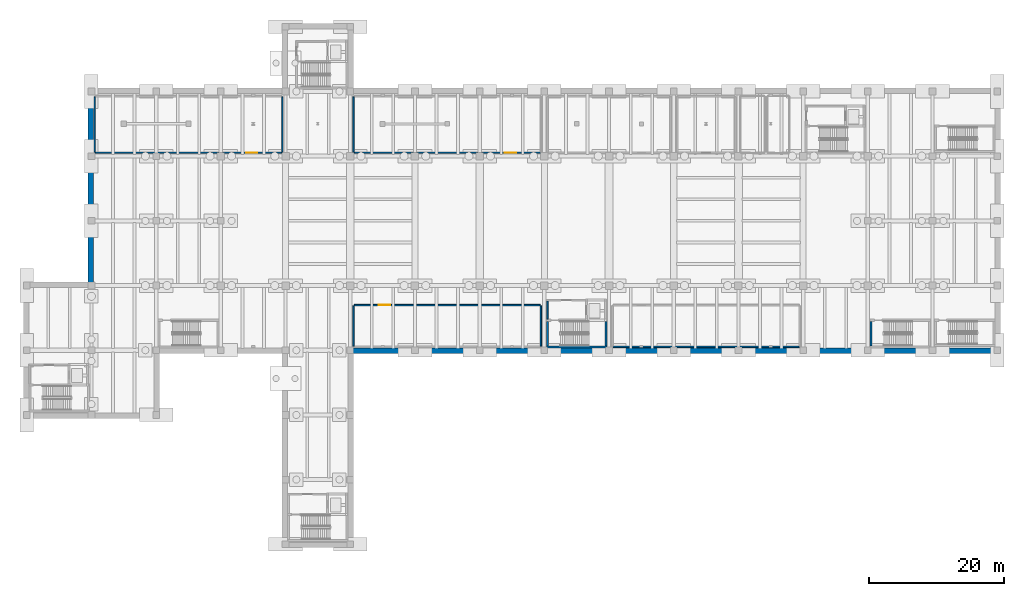
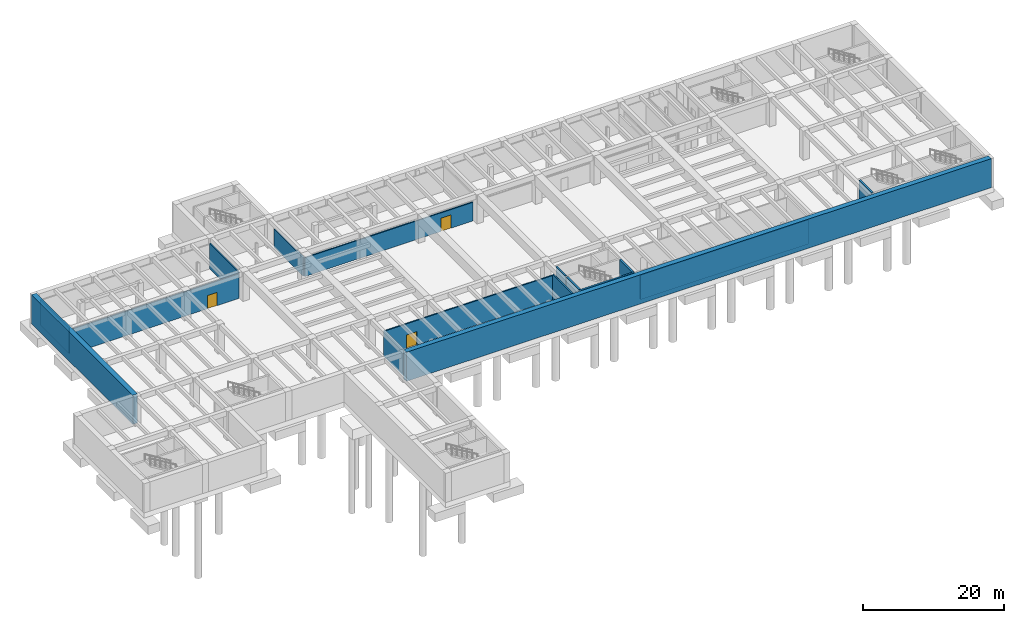
# One storey, part 10 of 24: 16 walls, 3 doors, 3 openings.
"""IFC4 building model written with IfcOpenShell, lengths in metres."""

import ifcopenshell
import ifcopenshell.guid

model = None  # the IFC model being written
_history = None  # IfcOwnerHistory: only IFC2X3 demands one
_inside = {}  # id of a spatial element -> (the spatial element, [elements in it])
_under = {}  # id of a project, library or spatial element -> (it, [spatial elements below it])
_declared = {}  # id of a project -> (the project, [libraries it declares])
_typed = {}  # id of a type object -> (the type object, [elements of that type])
_made_of = {}  # id of a material, layer set ... -> (it, [elements and type objects made of it])


def new_model(schema):
    """Start an empty IFC model of exactly this schema.

    Asked for "IFC4X3", IfcOpenShell would pick the latest addendum, in which some entities
    have other attributes; the version numbers below select the first issue.
    IFC2X3 requires an IfcOwnerHistory on every rooted entity: one is made here for all.
    """
    global model, _history
    if schema == "IFC4X3":
        model = ifcopenshell.file(schema_version=(4, 3, 0, 0))
    else:
        model = ifcopenshell.file(schema=schema)
    _inside.clear()
    _under.clear()
    _declared.clear()
    _typed.clear()
    _made_of.clear()
    _history = None
    if model.schema == "IFC2X3":
        org = make("IfcOrganization", Name="unknown")
        user = make(
            "IfcPersonAndOrganization",
            ThePerson=make("IfcPerson", FamilyName="unknown"),
            TheOrganization=org,
        )
        app = make(
            "IfcApplication",
            ApplicationDeveloper=org,
            Version="unknown",
            ApplicationFullName="unknown",
            ApplicationIdentifier="unknown",
        )
        _history = make(
            "IfcOwnerHistory",
            OwningUser=user,
            OwningApplication=app,
            ChangeAction="ADDED",
            CreationDate=0,
        )
    return model


def make(cls, **values):
    """One entity of the class cls with the attributes given. An attribute that is None is left unset."""
    return model.create_entity(
        cls, **{name: value for name, value in values.items() if value is not None}
    )


def rooted(cls, **values):
    """An entity with a GlobalId (a new one), such as an element, a storey or a relation."""
    return make(cls, GlobalId=ifcopenshell.guid.new(), OwnerHistory=_history, **values)


def si_unit(unit_type, name, prefix=None):
    """IfcSIUnit, for example si_unit("LENGTHUNIT", "METRE", prefix="MILLI")."""
    return make("IfcSIUnit", UnitType=unit_type, Prefix=prefix, Name=name)


def assignment(units):
    """IfcUnitAssignment: the units of a project."""
    return None if units is None else make("IfcUnitAssignment", Units=units)


def point(xyz):
    """IfcCartesianPoint."""
    return None if xyz is None else make("IfcCartesianPoint", Coordinates=xyz)


def direction(xyz):
    """IfcDirection."""
    return None if xyz is None else make("IfcDirection", DirectionRatios=xyz)


def frame(location, z_axis=None, x_axis=None):
    """IfcAxis2Placement3D, a coordinate frame: its origin and axes. An axis left out is left unset."""
    return make(
        "IfcAxis2Placement3D",
        Location=point(location),
        Axis=direction(z_axis),
        RefDirection=direction(x_axis),
    )


def frame_2d(location, x_axis=None):
    """IfcAxis2Placement2D, a coordinate frame in the plane: its origin and x axis."""
    return make(
        "IfcAxis2Placement2D", Location=point(location), RefDirection=direction(x_axis)
    )


def origin():
    """The frame at (0, 0, 0) with its axes left unset."""
    return frame((0.0, 0.0, 0.0))


def place(relative_to, where):
    """IfcLocalPlacement: puts the frame where relative to a parent placement (None: the world)."""
    return make(
        "IfcLocalPlacement", PlacementRelTo=relative_to, RelativePlacement=where
    )


def context(
    kind, dimensions, precision=None, world=None, true_north=None, identifier=None
):
    """IfcGeometricRepresentationContext, for example the 3D "Model" context."""
    return make(
        "IfcGeometricRepresentationContext",
        ContextIdentifier=identifier,
        ContextType=kind,
        CoordinateSpaceDimension=dimensions,
        Precision=precision,
        WorldCoordinateSystem=world,
        TrueNorth=true_north,
    )


def subcontext(parent, identifier, kind, view, scale=None):
    """IfcGeometricRepresentationSubContext, for example "Body" below "Model"."""
    return make(
        "IfcGeometricRepresentationSubContext",
        ContextIdentifier=identifier,
        ContextType=kind,
        ParentContext=parent,
        TargetScale=scale,
        TargetView=view,
    )


def project(units=None, contexts=None):
    """IfcProject with its units and contexts."""
    return rooted(
        "IfcProject",
        Name="project",
        RepresentationContexts=contexts,
        UnitsInContext=assignment(units),
    )


def spatial(cls, under=None, at=None, **own):
    """A site, building, storey or space (cls), placed at a placement, below another one or the project."""
    s = rooted(cls, ObjectPlacement=at, **own)
    if under is not None:
        _under.setdefault(under.id(), (under, []))[1].append(s)
    return s


def profile(cls, at=None, kind="AREA", **sizes):
    """A parametric profile (cls). Its sizes go by their IFC names, for example OverallWidth=200.0."""
    return make(cls, ProfileType=kind, Position=at, **sizes)


def rectangle(**sizes):
    """IfcRectangleProfileDef."""
    return profile("IfcRectangleProfileDef", **sizes)


def extrude(swept, where, along, depth):
    """IfcExtrudedAreaSolid: the profile swept, set in the frame where, extruded along a direction by depth."""
    return make(
        "IfcExtrudedAreaSolid",
        SweptArea=swept,
        Position=where,
        ExtrudedDirection=direction(along),
        Depth=depth,
    )


def shape(context_of_items, identifier, shape_type, items):
    """IfcShapeRepresentation: the items that make up one representation, for example the "Body"."""
    return make(
        "IfcShapeRepresentation",
        ContextOfItems=context_of_items,
        RepresentationIdentifier=identifier,
        RepresentationType=shape_type,
        Items=items,
    )


def material(Name=None, Category=None):
    """IfcMaterial."""
    return make("IfcMaterial", Name=Name, Category=Category)


def layer(
    of_material, thickness, ventilated=None, Name=None, Category=None, Priority=None
):
    """IfcMaterialLayer: one layer of a wall or slab, of a material (None: an air gap)."""
    return make(
        "IfcMaterialLayer",
        Material=of_material,
        LayerThickness=thickness,
        IsVentilated=ventilated,
        Name=Name,
        Category=Category,
        Priority=Priority,
    )


def layer_set(layers, Name=None):
    """IfcMaterialLayerSet."""
    return make("IfcMaterialLayerSet", MaterialLayers=layers, LayerSetName=Name)


def made_of(thing, what):
    """Note that an element or type object is made of a material, layer set ...; save() writes the relation."""
    if what is not None:
        _made_of.setdefault(what.id(), (what, []))[1].append(thing)
    return thing


def type_object(cls, material=None, **own):
    """A type object (cls), such as IfcWallType, which elements share."""
    return made_of(rooted(cls, **own), material)


def element(
    cls,
    number,
    at=None,
    inside=None,
    cuts=None,
    type_object=None,
    material=None,
    context=None,
    identifier="Body",
    shape_type=None,
    held_by="IfcProductDefinitionShape",
    body=None,
    shapes=None,
    **own,
):
    """One element of the class cls, such as IfcWall. Its Tag is "e" and its number.

    at: its placement. inside: the storey or other place that contains it. cuts: it is an
    opening in that element (IfcRelVoidsElement). A single representation is given by context,
    identifier, shape_type and body (its items); several are given by shapes. held_by: the class
    of the entity that holds the representations. save() writes the other relations.
    """
    e = rooted(cls, Tag="e%d" % number, ObjectPlacement=at, **own)
    if body is not None:
        shapes = [shape(context, identifier, shape_type, body)]
    if shapes is not None:
        e.Representation = make(held_by, Representations=shapes)
    if inside is not None:
        _inside.setdefault(inside.id(), (inside, []))[1].append(e)
    if cuts is not None:
        rooted(
            "IfcRelVoidsElement", RelatingBuildingElement=cuts, RelatedOpeningElement=e
        )
    if type_object is not None:
        _typed.setdefault(type_object.id(), (type_object, []))[1].append(e)
    return made_of(e, material)


def fill(opening, filler):
    """IfcRelFillsElement: the door or window that sits in an opening."""
    return rooted(
        "IfcRelFillsElement",
        RelatingOpeningElement=opening,
        RelatedBuildingElement=filler,
    )


def aggregate(whole, parts):
    """IfcRelAggregates: a whole, such as a stair, and the parts it consists of."""
    return rooted("IfcRelAggregates", RelatingObject=whole, RelatedObjects=parts)


def save(model, path):
    """Write the relations noted so far, then the file.

    IfcRelAggregates (storeys below a building ...), IfcRelContainedInSpatialStructure (elements
    in a storey), IfcRelDefinesByType, IfcRelAssociatesMaterial and IfcRelDeclares: one each for
    every whole, place, type object, material and project.
    """
    for whole, parts in _under.values():
        aggregate(whole, parts)
    for where, things in _inside.values():
        rooted(
            "IfcRelContainedInSpatialStructure",
            RelatedElements=things,
            RelatingStructure=where,
        )
    for kind, things in _typed.values():
        rooted("IfcRelDefinesByType", RelatedObjects=things, RelatingType=kind)
    for what, things in _made_of.values():
        rooted("IfcRelAssociatesMaterial", RelatedObjects=things, RelatingMaterial=what)
    for by, libraries in _declared.values():
        rooted("IfcRelDeclares", RelatingContext=by, RelatedDefinitions=libraries)
    model.write(path)


model = new_model("IFC4")

# Units and contexts
model_context = context("Model", 3, precision=1e-05, world=origin(), true_north=direction((0.0, 1.0)))
body_context = subcontext(model_context, "Body", "Model", "MODEL_VIEW")
ifc_project = project(units=[si_unit("LENGTHUNIT", "METRE"), si_unit("AREAUNIT", "SQUARE_METRE"), si_unit("VOLUMEUNIT", "CUBIC_METRE"), si_unit("PLANEANGLEUNIT", "RADIAN"), si_unit("MASSUNIT", "GRAM", prefix="KILO")], contexts=[model_context])

# Site, building, storey
site_placement = place(None, origin())
site = spatial("IfcSite", under=ifc_project, at=site_placement, CompositionType="ELEMENT")
building_placement = place(site_placement, origin())
building = spatial("IfcBuilding", under=site, at=building_placement, Name="Coralgate Yard Interchange", CompositionType="ELEMENT")
storey_placement = place(building_placement, frame((0.0, 0.0, -10.800048828125)))
storey = spatial("IfcBuildingStorey", under=building, at=storey_placement, Name="B2", CompositionType="ELEMENT", Elevation=-10.800048828125)

# Walls
ifc_material_1 = material(Name="Concrete C40/50", Category="concrete")
ifc_layer_1 = layer(ifc_material_1, 0.300048828125)
ifc_layer_set_1 = layer_set([ifc_layer_1], Name="Concrete C40/50")
wall_type_1 = type_object("IfcWallType", Name="WAL-CW300", PredefinedType="SHEAR", material=ifc_layer_set_1)
wall_1_placement = place(storey_placement, frame((134.85009765625, 39.050048828125, 0.0), z_axis=(0.0, 0.0, 1.0), x_axis=(0.0, 1.0, 0.0)))
element("IfcWall", 1, at=wall_1_placement, inside=storey, type_object=wall_type_1, Name="C13 B2 stair west shear wall", PredefinedType="SHEAR", context=body_context, shape_type="SweptSolid", body=[
    extrude(rectangle(XDim=3.64990234375, YDim=0.300048828125, at=frame_2d((1.824951171875, 0.0))), origin(), (0.0, 0.0, 1.0), 5.050048828125),
])
wall_2_placement = place(storey_placement, frame((86.699951171875, 38.89990234375, 0.0), z_axis=(0.0, 0.0, 1.0), x_axis=(1.0, 0.0, 0.0)))
element("IfcWall", 2, at=wall_2_placement, inside=storey, type_object=wall_type_1, Name="C6 B2 stair south shear wall", PredefinedType="SHEAR", context=body_context, shape_type="SweptSolid", body=[
    extrude(rectangle(XDim=9.0, YDim=0.300048828125, at=frame_2d((4.5, 0.0))), origin(), (0.0, 0.0, 1.0), 5.050048828125),
])
for number, where, z_axis, x_axis, name in (
    (3, (86.85009765625, 39.050048828125, 0.0), (0.0, 0.0, 1.0), (0.0, 1.0, 0.0), "C6 B2 stair west shear wall"),
    (4, (95.550048828125, 42.699951171875, 0.0), (0.0, 0.0, 1.0), (0.0, -1.0, 0.0), "C6 B2 stair east shear wall"),
):
    element("IfcWall", number, at=place(storey_placement, frame(where, z_axis=z_axis, x_axis=x_axis)), inside=storey, type_object=wall_type_1, Name=name, PredefinedType="SHEAR", context=body_context, shape_type="SweptSolid", body=[
        extrude(rectangle(XDim=3.64990234375, YDim=0.300048828125, at=frame_2d((1.824951171875, 0.0))), origin(), (0.0, 0.0, 1.0), 5.050048828125),
    ])
ifc_layer_2 = layer(ifc_material_1, 0.800048828125)
ifc_layer_set_2 = layer_set([ifc_layer_2], Name="Concrete C40/50")
wall_type_2 = type_object("IfcWallType", Name="WAL-DW800", PredefinedType="SOLIDWALL", material=ifc_layer_set_2)
wall_3_placement = place(storey_placement, frame((19.10009765625, 48.10009765625, 0.0), z_axis=(0.0, 0.0, 1.0), x_axis=(0.0, 1.0, 0.0)))
element("IfcWall", 5, at=wall_3_placement, inside=storey, type_object=wall_type_2, Name="B2 diaphragm retaining wall 6", PredefinedType="SOLIDWALL", context=body_context, shape_type="SweptSolid", body=[
    extrude(rectangle(XDim=28.7998046875, YDim=0.800048828125, at=frame_2d((14.39990234375, 0.0))), origin(), (0.0, 0.0, 1.0), 5.050048828125),
])
wall_4_placement = place(storey_placement, frame((153.699951171875, 38.300048828125, 0.0), z_axis=(0.0, 0.0, 1.0), x_axis=(-1.0, 0.0, 0.0)))
element("IfcWall", 6, at=wall_4_placement, inside=storey, type_object=wall_type_2, Name="B2 diaphragm retaining wall 13", PredefinedType="SOLIDWALL", context=body_context, shape_type="SweptSolid", body=[
    extrude(rectangle(XDim=96.0, YDim=0.800048828125, at=frame_2d((48.0, 0.0))), origin(), (0.0, 0.0, 1.0), 5.050048828125),
])

# Wall, opening, door
ifc_material_2 = material(Name="Concrete blockwork masonry", Category="masonry")
ifc_layer_3 = layer(ifc_material_2, 0.199951171875)
ifc_layer_set_3 = layer_set([ifc_layer_3], Name="Concrete blockwork masonry")
wall_type_3 = type_object("IfcWallType", Name="WAL-PW-200", PredefinedType="PARTITIONING", material=ifc_layer_set_3)
wall_5_placement = place(storey_placement, frame((47.39990234375, 67.699951171875, 0.0), z_axis=(0.0, 0.0, 1.0), x_axis=(-1.0, 0.0, 0.0)))
wall_5 = element("IfcWall", 7, at=wall_5_placement, inside=storey, type_object=wall_type_3, Name="West Under-Platform Exhaust Plant partition S", PredefinedType="PARTITIONING", context=body_context, shape_type="SweptSolid", body=[
    extrude(rectangle(XDim=27.599853515625, YDim=0.199951171875, at=frame_2d((13.7998046875, 0.0))), origin(), (0.0, 0.0, 1.0), 4.239990234375),
])
opening_1_placement = place(wall_5_placement, frame((3.60009765625, 0.0, 0.0)))
opening_1 = element("IfcOpeningElement", 8, at=opening_1_placement, cuts=wall_5, Name="Opening ID-07", PredefinedType="OPENING", context=body_context, shape_type="SweptSolid", body=[
    extrude(rectangle(XDim=1.60009765625, YDim=2.300048828125, at=frame_2d((0.800048828125, 1.14990234375))), frame((0.0, 0.10986328125, 0.0), z_axis=(0.0, -1.0, 0.0), x_axis=(1.0, 0.0, 0.0)), (0.0, 0.0, 1.0), 0.219970703125),
])
ifc_material_3 = material(Name="Powder-coated steel substation and plant double fire door", Category="steel")
door_type_1 = type_object("IfcDoorType", Name="DOR-ID-07", OperationType="NOTDEFINED", PredefinedType="DOOR", material=ifc_material_3)
door_1_placement = place(opening_1_placement, origin())
door_1 = element("IfcDoor", 9, at=door_1_placement, inside=storey, type_object=door_type_1, Name="West Under-Platform Exhaust Plant door", OperationType="DOUBLE_DOOR_SINGLE_SWING", OverallHeight=2.300048828125, OverallWidth=1.60009765625, PredefinedType="DOOR", context=body_context, shape_type="SweptSolid", body=[
    extrude(rectangle(XDim=1.60009765625, YDim=2.300048828125, at=frame_2d((0.800048828125, 1.14990234375))), frame((0.0, 0.02490234375, 0.0), z_axis=(0.0, -1.0, 0.0), x_axis=(1.0, 0.0, 0.0)), (0.0, 0.0, 1.0), 0.050048828125),
])
fill(opening_1, door_1)

# Walls
for number, where, z_axis, x_axis, name in (
    (10, (19.699951171875, 67.800048828125, 0.0), (0.0, 0.0, 1.0), (0.0, 1.0, 0.0), "West Under-Platform Exhaust Plant partition W"),
    (11, (47.5, 76.0, 0.0), (0.0, 0.0, 1.0), (0.0, -1.0, 0.0), "West Under-Platform Exhaust Plant partition E"),
):
    element("IfcWall", number, at=place(storey_placement, frame(where, z_axis=z_axis, x_axis=x_axis)), inside=storey, type_object=wall_type_3, Name=name, PredefinedType="PARTITIONING", context=body_context, shape_type="SweptSolid", body=[
        extrude(rectangle(XDim=8.199951171875, YDim=0.199951171875, at=frame_2d((4.10009765625, 0.0))), origin(), (0.0, 0.0, 1.0), 4.429931640625),
    ])

# Wall, opening, door
wall_6_placement = place(storey_placement, frame((85.800048828125, 67.699951171875, 0.0), z_axis=(0.0, 0.0, 1.0), x_axis=(-1.0, 0.0, 0.0)))
wall_6 = element("IfcWall", 12, at=wall_6_placement, inside=storey, type_object=wall_type_3, Name="Seepage and Fire Pump Room partition S", PredefinedType="PARTITIONING", context=body_context, shape_type="SweptSolid", body=[
    extrude(rectangle(XDim=27.60009765625, YDim=0.199951171875, at=frame_2d((13.800048828125, 0.0))), origin(), (0.0, 0.0, 1.0), 3.239990234375),
])
opening_2_placement = place(wall_6_placement, frame((3.60009765625, 0.0, 0.0)))
opening_2 = element("IfcOpeningElement", 13, at=opening_2_placement, cuts=wall_6, Name="Opening ID-20", PredefinedType="OPENING", context=body_context, shape_type="SweptSolid", body=[
    extrude(rectangle(XDim=1.699951171875, YDim=2.300048828125, at=frame_2d((0.85009765625, 1.14990234375))), frame((0.0, 0.10986328125, 0.0), z_axis=(0.0, -1.0, 0.0), x_axis=(1.0, 0.0, 0.0)), (0.0, 0.0, 1.0), 0.219970703125),
])
ifc_material_4 = material(Name="Heavy plant room double fire door")
door_type_2 = type_object("IfcDoorType", Name="DOR-ID-20", OperationType="NOTDEFINED", PredefinedType="DOOR", material=ifc_material_4)
door_2_placement = place(opening_2_placement, origin())
door_2 = element("IfcDoor", 14, at=door_2_placement, inside=storey, type_object=door_type_2, Name="Seepage and Fire Pump Room door", OperationType="DOUBLE_DOOR_SINGLE_SWING", OverallHeight=2.300048828125, OverallWidth=1.699951171875, PredefinedType="DOOR", context=body_context, shape_type="SweptSolid", body=[
    extrude(rectangle(XDim=1.699951171875, YDim=2.300048828125, at=frame_2d((0.85009765625, 1.14990234375))), frame((0.0, 0.02490234375, 0.0), z_axis=(0.0, -1.0, 0.0), x_axis=(1.0, 0.0, 0.0)), (0.0, 0.0, 1.0), 0.050048828125),
])
fill(opening_2, door_2)

# Walls
wall_7_placement = place(storey_placement, frame((58.10009765625, 67.800048828125, 0.0), z_axis=(0.0, 0.0, 1.0), x_axis=(0.0, 1.0, 0.0)))
element("IfcWall", 15, at=wall_7_placement, inside=storey, type_object=wall_type_3, Name="Seepage and Fire Pump Room partition W", PredefinedType="PARTITIONING", context=body_context, shape_type="SweptSolid", body=[
    extrude(rectangle(XDim=8.199951171875, YDim=0.199951171875, at=frame_2d((4.10009765625, 0.0))), origin(), (0.0, 0.0, 1.0), 3.239990234375),
])
wall_8_placement = place(storey_placement, frame((124.199951171875, 38.89990234375, 0.0), z_axis=(0.0, 0.0, 1.0), x_axis=(-1.0, 0.0, 0.0)))
element("IfcWall", 16, at=wall_8_placement, inside=storey, type_object=wall_type_3, Name="Emergency Tunnel Lighting Battery Room partition S", PredefinedType="PARTITIONING", context=body_context, shape_type="SweptSolid", body=[
    extrude(rectangle(XDim=27.599853515625, YDim=0.199951171875, at=frame_2d((13.7998046875, 0.0))), origin(), (0.0, 0.0, 1.0), 4.239990234375),
])

# Wall, opening, door
ifc_material_5 = material(Name="Heavy acoustic concrete blockwork", Category="masonry")
ifc_layer_4 = layer(ifc_material_5, 0.2099609375)
ifc_layer_set_4 = layer_set([ifc_layer_4], Name="Heavy acoustic concrete blockwork")
wall_type_4 = type_object("IfcWallType", Name="WAL-PW-210", PredefinedType="PARTITIONING", material=ifc_layer_set_4)
wall_9_placement = place(storey_placement, frame((58.2099609375, 45.094970703125, 0.0), z_axis=(0.0, 0.0, 1.0), x_axis=(1.0, 0.0, 0.0)))
wall_9 = element("IfcWall", 17, at=wall_9_placement, inside=storey, type_object=wall_type_4, Name="South Under-Platform Fan Plant partition N", PredefinedType="PARTITIONING", context=body_context, shape_type="SweptSolid", body=[
    extrude(rectangle(XDim=27.580078125, YDim=0.2099609375, at=frame_2d((13.7900390625, 0.0))), origin(), (0.0, 0.0, 1.0), 4.239990234375),
])
opening_3_placement = place(wall_9_placement, frame((3.60009765625, 0.0, 0.0)))
opening_3 = element("IfcOpeningElement", 18, at=opening_3_placement, cuts=wall_9, Name="Opening ID-20", PredefinedType="OPENING", context=body_context, shape_type="SweptSolid", body=[
    extrude(rectangle(XDim=1.699951171875, YDim=2.300048828125, at=frame_2d((0.85009765625, 1.14990234375))), frame((0.0, 0.114990234375, 0.0), z_axis=(0.0, -1.0, 0.0), x_axis=(1.0, 0.0, 0.0)), (0.0, 0.0, 1.0), 0.22998046875),
])
door_3_placement = place(opening_3_placement, origin())
door_3 = element("IfcDoor", 19, at=door_3_placement, inside=storey, type_object=door_type_2, Name="South Under-Platform Fan Plant door", OperationType="DOUBLE_DOOR_SINGLE_SWING", OverallHeight=2.300048828125, OverallWidth=1.699951171875, PredefinedType="DOOR", context=body_context, shape_type="SweptSolid", body=[
    extrude(rectangle(XDim=1.699951171875, YDim=2.300048828125, at=frame_2d((0.85009765625, 1.14990234375))), frame((0.0, 0.02490234375, 0.0), z_axis=(0.0, -1.0, 0.0), x_axis=(1.0, 0.0, 0.0)), (0.0, 0.0, 1.0), 0.050048828125),
])
fill(opening_3, door_3)

# Walls
for number, where, z_axis, x_axis, name in (
    (20, (58.10498046875, 39.010009765625, 0.0), (0.0, 0.0, 1.0), (0.0, 1.0, 0.0), "South Under-Platform Fan Plant partition W"),
    (21, (85.89501953125, 44.989990234375, 0.0), (0.0, 0.0, 1.0), (0.0, -1.0, 0.0), "South Under-Platform Fan Plant partition E"),
):
    element("IfcWall", number, at=place(storey_placement, frame(where, z_axis=z_axis, x_axis=x_axis)), inside=storey, type_object=wall_type_4, Name=name, PredefinedType="PARTITIONING", context=body_context, shape_type="SweptSolid", body=[
        extrude(rectangle(XDim=5.97998046875, YDim=0.2099609375, at=frame_2d((2.989990234375, 0.0))), origin(), (0.0, 0.0, 1.0), 4.429931640625),
    ])
ifc_layer_5 = layer(ifc_material_1, 0.25)
ifc_layer_set_5 = layer_set([ifc_layer_5], Name="Concrete C40/50")
wall_type_5 = type_object("IfcWallType", Name="WAL-SW250", PredefinedType="SHEAR", material=ifc_layer_set_5)
wall_10_placement = place(storey_placement, frame((86.85009765625, 43.0, 0.0), z_axis=(0.0, 0.0, 1.0), x_axis=(0.0, 1.0, 0.0)))
element("IfcWall", 22, at=wall_10_placement, inside=storey, type_object=wall_type_5, Name="C6 B2 lobby west fire wall", PredefinedType="SHEAR", context=body_context, shape_type="SweptSolid", body=[
    extrude(rectangle(XDim=2.699951171875, YDim=0.25, at=frame_2d((1.35009765625, 0.0))), origin(), (0.0, 0.0, 1.0), 5.050048828125),
])

save(model, "model.ifc")
